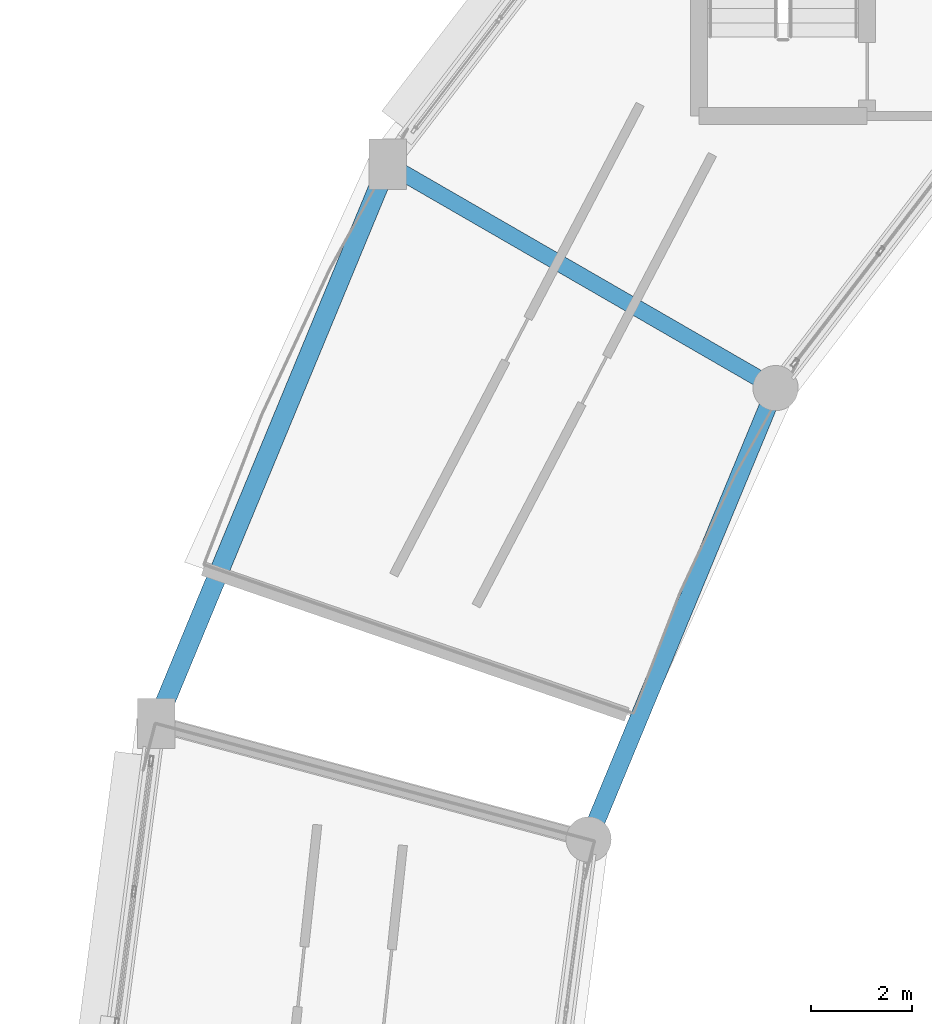
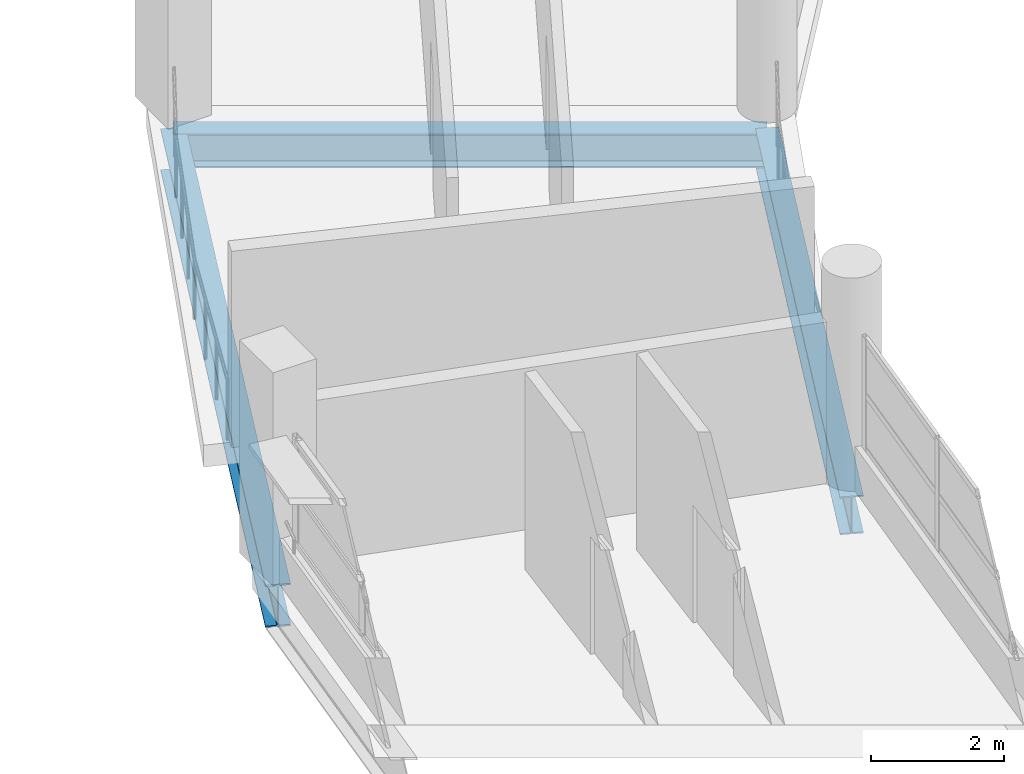
# One storey, part 57 of 108: 3 beams.
"""IFC4 building model written with IfcOpenShell, lengths in metres."""

from ifc_helpers import new_model, si_unit, direction, frame, origin, origin_2d, place, context, subcontext, project, spatial, i_section, extrude, material, material_profile, profile_set, type_object, element, save


model = new_model("IFC4")

# Units and contexts
model_context = context("Model", 3, precision=1e-05, world=origin(), true_north=direction((0.0, 1.0)))
body_context = subcontext(model_context, "Body", "Model", "MODEL_VIEW")
ifc_project = project(units=[si_unit("LENGTHUNIT", "METRE"), si_unit("AREAUNIT", "SQUARE_METRE"), si_unit("VOLUMEUNIT", "CUBIC_METRE"), si_unit("PLANEANGLEUNIT", "RADIAN"), si_unit("MASSUNIT", "GRAM", prefix="KILO")], contexts=[model_context])

# Site, building, storey
site_placement = place(None, origin())
site = spatial("IfcSite", under=ifc_project, at=site_placement, CompositionType="ELEMENT")
building_placement = place(site_placement, origin())
building = spatial("IfcBuilding", under=site, at=building_placement, Name="Vespera Passage Community Centre", CompositionType="ELEMENT")
storey_placement = place(building_placement, frame((0.0, 0.0, 12.60009765625)))
storey = spatial("IfcBuildingStorey", under=building, at=storey_placement, Name="L03", CompositionType="ELEMENT", Elevation=12.60009765625)

# Beams
ifc_material_1 = material(Name="Steel ASTM A992 Grade 50", Category="steel")
ifc_material_profile_1 = material_profile(ifc_material_1, i_section(OverallWidth=0.32763671875, OverallDepth=0.62841796875, WebThickness=0.0166015625, FlangeThickness=0.027587890625, FilletRadius=0.0126953125, at=origin_2d()), Name="W24X146")
ifc_profile_set_1 = profile_set([ifc_material_profile_1], Name="Steel ASTM A992 Grade 50")
beam_type_1 = type_object("IfcBeamType", Name="BM-G-W24X146", PredefinedType="BEAM", material=ifc_profile_set_1)
beam_1_placement = place(storey_placement, frame((45.783935546875, 84.10009765625, -0.71435546875), z_axis=(-0.866031643847, 0.499989191739, 0.0), x_axis=(-0.499989191739, -0.866031643847, 0.0)))
element("IfcBeam", 1, at=beam_1_placement, inside=storey, type_object=beam_type_1, Name="V4 L03 Radial Girder 10", PredefinedType="BEAM", context=body_context, shape_type="SweptSolid", body=[
    extrude(i_section(OverallWidth=0.32763671875, OverallDepth=0.62841796875, WebThickness=0.0166015625, FlangeThickness=0.027587890625, FilletRadius=0.0126953125, at=origin_2d()), origin(), (0.0, 0.0, 1.0), 8.900146484375),
])
ifc_material_2 = material(Name="Steel ASTM A992 Grade 50", Category="steel")
ifc_material_profile_2 = material_profile(ifc_material_2, i_section(OverallWidth=0.3544921875, OverallDepth=0.695556640625, WebThickness=0.015380859375, FlangeThickness=0.024658203125, FilletRadius=0.01513671875, at=origin_2d()), Name="W27X146")
ifc_profile_set_2 = profile_set([ifc_material_profile_2], Name="Steel ASTM A992 Grade 50")
beam_type_2 = type_object("IfcBeamType", Name="BM-SP-W27X146E", PredefinedType="SPANDREL", material=ifc_profile_set_2)
beam_2_placement = place(storey_placement, frame((45.783935546875, 84.10009765625, -0.747802734375), z_axis=(-0.382684844258, -0.923878947685, 0.0), x_axis=(0.923878947685, -0.382684844258, 0.0)))
element("IfcBeam", 2, at=beam_2_placement, inside=storey, type_object=beam_type_2, Name="V4 L03 Inner Spandrel 10", PredefinedType="SPANDREL", context=body_context, shape_type="SweptSolid", body=[
    extrude(i_section(OverallWidth=0.3544921875, OverallDepth=0.695556640625, WebThickness=0.015380859375, FlangeThickness=0.024658203125, FilletRadius=0.01513671875, at=origin_2d()), origin(), (0.0, 0.0, 1.0), 9.711181640625),
])
ifc_material_3 = material(Name="Steel ASTM A992 Grade 50", Category="steel")
ifc_material_profile_3 = material_profile(ifc_material_3, i_section(OverallWidth=0.382080078125, OverallDepth=0.779296875, WebThickness=0.01806640625, FlangeThickness=0.030029296875, FilletRadius=0.0166015625, at=origin_2d()), Name="W30X191")
ifc_profile_set_3 = profile_set([ifc_material_profile_3], Name="Steel ASTM A992 Grade 50")
beam_type_3 = type_object("IfcBeamType", Name="BM-SP-W30X191E", PredefinedType="SPANDREL", material=ifc_profile_set_3)
beam_3_placement = place(storey_placement, frame((38.076171875, 88.550048828125, -0.789794921875), z_axis=(-0.382688629799, -0.923877379647, 0.0), x_axis=(0.923877379647, -0.382688629799, 0.0)))
element("IfcBeam", 3, at=beam_3_placement, inside=storey, type_object=beam_type_3, Name="V4 L03 Outer Spandrel 10", PredefinedType="SPANDREL", context=body_context, shape_type="SweptSolid", body=[
    extrude(i_section(OverallWidth=0.382080078125, OverallDepth=0.779296875, WebThickness=0.01806640625, FlangeThickness=0.030029296875, FilletRadius=0.0166015625, at=origin_2d()), origin(), (0.0, 0.0, 1.0), 12.034423828125),
])

save(model, "model.ifc")
